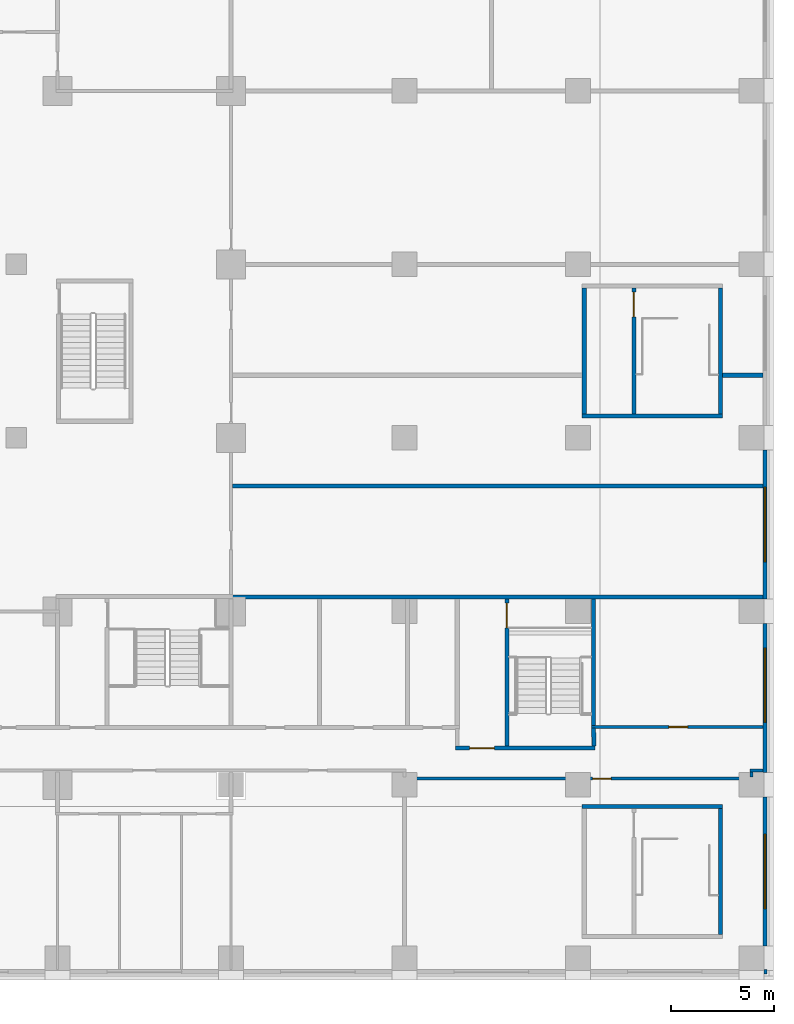
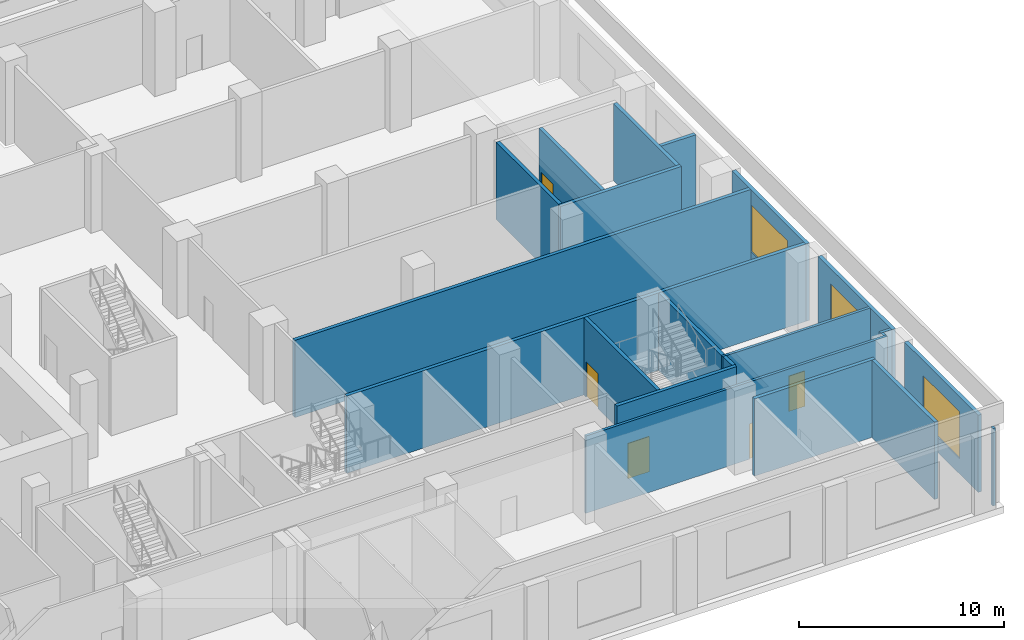
# One storey, part 11 of 23: 21 walls, 5 doors, 3 windows, 8 openings.
"""IFC4 building model written with IfcOpenShell, lengths in metres."""

from ifc_helpers import new_model, si_unit, direction, frame, frame_2d, origin, place, context, subcontext, project, spatial, rectangle, extrude, material, layer, layer_set, type_object, element, fill, save


model = new_model("IFC4")

# Units and contexts
model_context = context("Model", 3, precision=1e-05, world=origin(), true_north=direction((0.0, 1.0)))
body_context = subcontext(model_context, "Body", "Model", "MODEL_VIEW")
ifc_project = project(units=[si_unit("LENGTHUNIT", "METRE"), si_unit("AREAUNIT", "SQUARE_METRE"), si_unit("VOLUMEUNIT", "CUBIC_METRE"), si_unit("PLANEANGLEUNIT", "RADIAN"), si_unit("MASSUNIT", "GRAM", prefix="KILO")], contexts=[model_context])

# Site, building, storey
site_placement = place(None, origin())
site = spatial("IfcSite", under=ifc_project, at=site_placement, CompositionType="ELEMENT")
building_placement = place(site_placement, origin())
building = spatial("IfcBuilding", under=site, at=building_placement, Name="Vermilion Ogive Tower", CompositionType="ELEMENT")
storey_placement = place(building_placement, frame((0.0, 0.0, 20.0)))
storey = spatial("IfcBuildingStorey", under=building, at=storey_placement, Name="L03", CompositionType="ELEMENT", Elevation=20.0)

# Wall, opening, door
ifc_material_1 = material(Name="Gypsum board partition on steel studs", Category="steel")
ifc_layer_1 = layer(ifc_material_1, 0.14990234375)
ifc_layer_set_1 = layer_set([ifc_layer_1], Name="Partition 150 corridor")
wall_type_1 = type_object("IfcWallType", Name="Partition 150 corridor", PredefinedType="PARTITIONING", material=ifc_layer_set_1)
wall_1_placement = place(storey_placement, frame((33.5, -20.699951171875, 0.0), z_axis=(0.0, 0.0, 1.0), x_axis=(1.0, 0.0, 0.0)))
wall_1 = element("IfcWall", 1, at=wall_1_placement, inside=storey, type_object=wall_type_1, Name="L03-FS-W-W005", PredefinedType="PARTITIONING", context=body_context, shape_type="SweptSolid", body=[
    extrude(rectangle(XDim=16.97509765625, YDim=0.14990234375, at=frame_2d((8.487548828125, 0.0))), origin(), (0.0, 0.0, 1.0), 4.60009765625),
])
opening_1_placement = place(wall_1_placement, frame((9.199951171875, 0.0, 0.0)))
opening_1 = element("IfcOpeningElement", 2, at=opening_1_placement, cuts=wall_1, Name="Opening L03S045", PredefinedType="OPENING", context=body_context, shape_type="SweptSolid", body=[
    extrude(rectangle(XDim=0.89990234375, YDim=2.10009765625, at=frame_2d((0.449951171875, 1.050048828125))), frame((0.0, 0.0849609375, 0.0), z_axis=(0.0, -1.0, 0.0), x_axis=(1.0, 0.0, 0.0)), (0.0, 0.0, 1.0), 0.169921875),
])
ifc_material_2 = material(Name="Timber door leaf", Category="wood")
door_type_1 = type_object("IfcDoorType", Name="Room door 900 x 2100 FD30", OperationType="SINGLE_SWING_LEFT", PredefinedType="DOOR", material=ifc_material_2)
door_1_placement = place(opening_1_placement, origin())
door_1 = element("IfcDoor", 3, at=door_1_placement, inside=storey, type_object=door_type_1, Name="L03-FS-D-D045", OperationType="SINGLE_SWING_RIGHT", OverallHeight=2.10009765625, OverallWidth=0.89990234375, PredefinedType="DOOR", context=body_context, shape_type="SweptSolid", body=[
    extrude(rectangle(XDim=0.89990234375, YDim=2.10009765625, at=frame_2d((0.449951171875, 1.050048828125))), frame((0.0, 0.02490234375, 0.0), z_axis=(0.0, -1.0, 0.0), x_axis=(1.0, 0.0, 0.0)), (0.0, 0.0, 1.0), 0.050048828125),
])
fill(opening_1, door_1)

# Wall
wall_2_placement = place(storey_placement, frame((50.324951171875, -20.300048828125, 0.0), z_axis=(0.0, 0.0, 1.0), x_axis=(1.0, 0.0, 0.0)))
element("IfcWall", 4, at=wall_2_placement, inside=storey, type_object=wall_type_1, Name="L03-FS-W-W007", PredefinedType="PARTITIONING", context=body_context, shape_type="SweptSolid", body=[
    extrude(rectangle(XDim=0.625, YDim=0.14990234375, at=frame_2d((0.3125, 0.0))), origin(), (0.0, 0.0, 1.0), 4.60009765625),
])

# Wall, opening, door
wall_3_placement = place(storey_placement, frame((42.64990234375, -18.199951171875, 0.0), z_axis=(0.0, 0.0, 1.0), x_axis=(1.0, 0.0, 0.0)))
wall_3 = element("IfcWall", 5, at=wall_3_placement, inside=storey, type_object=wall_type_1, Name="L03-FS-W-W015", PredefinedType="PARTITIONING", context=body_context, shape_type="SweptSolid", body=[
    extrude(rectangle(XDim=8.300048828125, YDim=0.14990234375, at=frame_2d((4.14990234375, 0.0))), origin(), (0.0, 0.0, 1.0), 4.60009765625),
])
opening_2_placement = place(wall_3_placement, frame((3.75, 0.0, 0.0)))
opening_2 = element("IfcOpeningElement", 6, at=opening_2_placement, cuts=wall_3, Name="Opening L03S039", PredefinedType="OPENING", context=body_context, shape_type="SweptSolid", body=[
    extrude(rectangle(XDim=0.89990234375, YDim=2.10009765625, at=frame_2d((0.449951171875, 1.050048828125))), frame((0.0, 0.0849609375, 0.0), z_axis=(0.0, -1.0, 0.0), x_axis=(1.0, 0.0, 0.0)), (0.0, 0.0, 1.0), 0.169921875),
])
door_2_placement = place(opening_2_placement, origin())
door_2 = element("IfcDoor", 7, at=door_2_placement, inside=storey, type_object=door_type_1, Name="L03-FS-D-D039", OperationType="SINGLE_SWING_LEFT", OverallHeight=2.10009765625, OverallWidth=0.89990234375, PredefinedType="DOOR", context=body_context, shape_type="SweptSolid", body=[
    extrude(rectangle(XDim=0.89990234375, YDim=2.10009765625, at=frame_2d((0.449951171875, 1.050048828125))), frame((0.0, 0.02490234375, 0.0), z_axis=(0.0, -1.0, 0.0), x_axis=(1.0, 0.0, 0.0)), (0.0, 0.0, 1.0), 0.050048828125),
])
fill(opening_2, door_2)

# Walls
wall_4_placement = place(storey_placement, frame((50.39990234375, -20.625, 0.0), z_axis=(0.0, 0.0, 1.0), x_axis=(0.0, 1.0, 0.0)))
element("IfcWall", 8, at=wall_4_placement, inside=storey, type_object=wall_type_1, Name="L03-FS-W-W107", PredefinedType="PARTITIONING", context=body_context, shape_type="SweptSolid", body=[
    extrude(rectangle(XDim=0.25, YDim=0.14990234375, at=frame_2d((0.125, 0.0))), origin(), (0.0, 0.0, 1.0), 4.60009765625),
])
ifc_material_3 = material(Name="Gypsum board partition on steel studs", Category="steel")
ifc_layer_2 = layer(ifc_material_3, 0.199951171875)
ifc_layer_set_2 = layer_set([ifc_layer_2], Name="Partition 200 party")
wall_type_2 = type_object("IfcWallType", Name="Partition 200 party", PredefinedType="PARTITIONING", material=ifc_layer_set_2)
wall_5_placement = place(storey_placement, frame((42.199951171875, -22.050048828125, 0.0), z_axis=(0.0, 0.0, 1.0), x_axis=(1.0, 0.0, 0.0)))
element("IfcWall", 9, at=wall_5_placement, inside=storey, type_object=wall_type_2, Name="L03-FS-W-W004", PredefinedType="PARTITIONING", context=body_context, shape_type="SweptSolid", body=[
    extrude(rectangle(XDim=6.800048828125, YDim=0.199951171875, at=frame_2d((3.39990234375, 0.0))), origin(), (0.0, 0.0, 1.0), 4.60009765625),
])
wall_6_placement = place(storey_placement, frame((25.27490234375, -6.532958984375, 0.0), z_axis=(0.0, 0.0, 1.0), x_axis=(1.0, 0.0, 0.0)))
element("IfcWall", 10, at=wall_6_placement, inside=storey, type_object=wall_type_2, Name="L03-FS-W-W022", PredefinedType="PARTITIONING", context=body_context, shape_type="SweptSolid", body=[
    extrude(rectangle(XDim=25.675048828125, YDim=0.199951171875, at=frame_2d((12.83740234375, 0.0))), origin(), (0.0, 0.0, 1.0), 4.60009765625),
])
wall_7_placement = place(storey_placement, frame((42.199951171875, -3.14990234375, 0.0), z_axis=(0.0, 0.0, 1.0), x_axis=(1.0, 0.0, 0.0)))
element("IfcWall", 11, at=wall_7_placement, inside=storey, type_object=wall_type_2, Name="L03-FS-W-W023", PredefinedType="PARTITIONING", context=body_context, shape_type="SweptSolid", body=[
    extrude(rectangle(XDim=6.800048828125, YDim=0.199951171875, at=frame_2d((3.39990234375, 0.0))), origin(), (0.0, 0.0, 1.0), 4.60009765625),
])
wall_8_placement = place(storey_placement, frame((49.0, -1.1669921875, 0.0), z_axis=(0.0, 0.0, 1.0), x_axis=(1.0, 0.0, 0.0)))
element("IfcWall", 12, at=wall_8_placement, inside=storey, type_object=wall_type_2, Name="L03-FS-W-W025", PredefinedType="PARTITIONING", context=body_context, shape_type="SweptSolid", body=[
    extrude(rectangle(XDim=1.949951171875, YDim=0.199951171875, at=frame_2d((0.97509765625, 0.0))), origin(), (0.0, 0.0, 1.0), 4.60009765625),
])
wall_9_placement = place(storey_placement, frame((42.300048828125, -3.050048828125, 0.0), z_axis=(0.0, 0.0, 1.0), x_axis=(0.0, 1.0, 0.0)))
element("IfcWall", 13, at=wall_9_placement, inside=storey, type_object=wall_type_2, Name="L03-FS-W-W094", PredefinedType="PARTITIONING", context=body_context, shape_type="SweptSolid", body=[
    extrude(rectangle(XDim=6.10009765625, YDim=0.199951171875, at=frame_2d((3.050048828125, 0.0))), origin(), (0.0, 0.0, 1.0), 4.60009765625),
])

# Wall, opening, door
wall_10_placement = place(storey_placement, frame((44.699951171875, -3.050048828125, 0.0), z_axis=(0.0, 0.0, 1.0), x_axis=(0.0, 1.0, 0.0)))
wall_10 = element("IfcWall", 14, at=wall_10_placement, inside=storey, type_object=wall_type_2, Name="L03-FS-W-W101", PredefinedType="PARTITIONING", context=body_context, shape_type="SweptSolid", body=[
    extrude(rectangle(XDim=6.10009765625, YDim=0.199951171875, at=frame_2d((3.050048828125, 0.0))), origin(), (0.0, 0.0, 1.0), 4.60009765625),
])
opening_3_placement = place(wall_10_placement, frame((4.7001953125, 0.0, 0.0)))
opening_3 = element("IfcOpeningElement", 15, at=opening_3_placement, cuts=wall_10, Name="Opening L03S008", PredefinedType="OPENING", context=body_context, shape_type="SweptSolid", body=[
    extrude(rectangle(XDim=1.199951171875, YDim=2.10009765625, at=frame_2d((0.60009765625, 1.050048828125))), frame((0.0, 0.10986328125, 0.0), z_axis=(0.0, -1.0, 0.0), x_axis=(1.0, 0.0, 0.0)), (0.0, 0.0, 1.0), 0.219970703125),
])
ifc_material_4 = material(Name="Timber door leaf", Category="wood")
door_type_2 = type_object("IfcDoorType", Name="Stair door 1200 x 2100 FD60S", OperationType="SINGLE_SWING_LEFT", PredefinedType="DOOR", material=ifc_material_4)
door_3_placement = place(opening_3_placement, origin())
door_3 = element("IfcDoor", 16, at=door_3_placement, inside=storey, type_object=door_type_2, Name="L03-FS-D-D008", OperationType="DOUBLE_DOOR_SINGLE_SWING", OverallHeight=2.10009765625, OverallWidth=1.199951171875, PredefinedType="DOOR", context=body_context, shape_type="SweptSolid", body=[
    extrude(rectangle(XDim=1.199951171875, YDim=2.10009765625, at=frame_2d((0.60009765625, 1.050048828125))), frame((0.0, 0.02490234375, 0.0), z_axis=(0.0, -1.0, 0.0), x_axis=(1.0, 0.0, 0.0)), (0.0, 0.0, 1.0), 0.050048828125),
])
fill(opening_3, door_3)

# Walls
for number, where, z_axis, x_axis, name in (
    (17, (48.89990234375, -28.25, 0.0), (0.0, 0.0, 1.0), (0.0, 1.0, 0.0), "L03-FS-W-W103"),
    (18, (48.89990234375, -3.050048828125, 0.0), (0.0, 0.0, 1.0), (0.0, 1.0, 0.0), "L03-FS-W-W104"),
):
    element("IfcWall", number, at=place(storey_placement, frame(where, z_axis=z_axis, x_axis=x_axis)), inside=storey, type_object=wall_type_2, Name=name, PredefinedType="PARTITIONING", context=body_context, shape_type="SweptSolid", body=[
        extrude(rectangle(XDim=6.10009765625, YDim=0.199951171875, at=frame_2d((3.050048828125, 0.0))), origin(), (0.0, 0.0, 1.0), 4.60009765625),
    ])

# Wall, opening, door
ifc_material_5 = material(Name="Concrete B60", Category="concrete")
ifc_layer_3 = layer(ifc_material_5, 0.199951171875)
ifc_layer_set_3 = layer_set([ifc_layer_3], Name="Stair shaft wall 200 Concrete B60")
wall_type_3 = type_object("IfcWallType", Name="Stair shaft wall 200 Concrete B60", PredefinedType="SOLIDWALL", material=ifc_layer_set_3)
wall_11_placement = place(storey_placement, frame((36.074951171875, -19.224853515625, 0.0), z_axis=(0.0, 0.0, 1.0), x_axis=(1.0, 0.0, 0.0)))
wall_11 = element("IfcWall", 19, at=wall_11_placement, inside=storey, type_object=wall_type_3, Name="L03-FS-W-W008", PredefinedType="SOLIDWALL", context=body_context, shape_type="SweptSolid", body=[
    extrude(rectangle(XDim=6.75, YDim=0.199951171875, at=frame_2d((3.375, 0.0))), origin(), (0.0, 0.0, 1.0), 4.60009765625),
])
opening_4_placement = place(wall_11_placement, frame((0.675048828125, 0.0, 0.0)))
opening_4 = element("IfcOpeningElement", 20, at=opening_4_placement, cuts=wall_11, Name="Opening L03S015", PredefinedType="OPENING", context=body_context, shape_type="SweptSolid", body=[
    extrude(rectangle(XDim=1.199951171875, YDim=2.10009765625, at=frame_2d((0.60009765625, 1.050048828125))), frame((0.0, 0.10986328125, 0.0), z_axis=(0.0, -1.0, 0.0), x_axis=(1.0, 0.0, 0.0)), (0.0, 0.0, 1.0), 0.219970703125),
])
door_4_placement = place(opening_4_placement, origin())
door_4 = element("IfcDoor", 21, at=door_4_placement, inside=storey, type_object=door_type_2, Name="L03-FS-D-D015", OperationType="SINGLE_SWING_LEFT", OverallHeight=2.10009765625, OverallWidth=1.199951171875, PredefinedType="DOOR", context=body_context, shape_type="SweptSolid", body=[
    extrude(rectangle(XDim=1.199951171875, YDim=2.10009765625, at=frame_2d((0.60009765625, 1.050048828125))), frame((0.0, 0.02490234375, 0.0), z_axis=(0.0, -1.0, 0.0), x_axis=(1.0, 0.0, 0.0)), (0.0, 0.0, 1.0), 0.050048828125),
])
fill(opening_4, door_4)

wall_12_placement = place(storey_placement, frame((38.550048828125, -19.125, 0.0), z_axis=(0.0, 0.0, 1.0), x_axis=(0.0, 1.0, 0.0)))
wall_12 = element("IfcWall", 22, at=wall_12_placement, inside=storey, type_object=wall_type_3, Name="L03-FS-W-W091", PredefinedType="SOLIDWALL", context=body_context, shape_type="SweptSolid", body=[
    extrude(rectangle(XDim=7.125, YDim=0.199951171875, at=frame_2d((3.5625, 0.0))), origin(), (0.0, 0.0, 1.0), 4.60009765625),
])
opening_5_placement = place(wall_12_placement, frame((5.72509765625, 0.0, 0.0)))
opening_5 = element("IfcOpeningElement", 23, at=opening_5_placement, cuts=wall_12, Name="Opening L03S006", PredefinedType="OPENING", context=body_context, shape_type="SweptSolid", body=[
    extrude(rectangle(XDim=1.199951171875, YDim=2.10009765625, at=frame_2d((0.60009765625, 1.050048828125))), frame((0.0, 0.10986328125, 0.0), z_axis=(0.0, -1.0, 0.0), x_axis=(1.0, 0.0, 0.0)), (0.0, 0.0, 1.0), 0.219970703125),
])
door_5_placement = place(opening_5_placement, origin())
door_5 = element("IfcDoor", 24, at=door_5_placement, inside=storey, type_object=door_type_2, Name="L03-FS-D-D006", OperationType="DOUBLE_DOOR_SINGLE_SWING", OverallHeight=2.10009765625, OverallWidth=1.199951171875, PredefinedType="DOOR", context=body_context, shape_type="SweptSolid", body=[
    extrude(rectangle(XDim=1.199951171875, YDim=2.10009765625, at=frame_2d((0.60009765625, 1.050048828125))), frame((0.0, 0.02490234375, 0.0), z_axis=(0.0, -1.0, 0.0), x_axis=(1.0, 0.0, 0.0)), (0.0, 0.0, 1.0), 0.050048828125),
])
fill(opening_5, door_5)

# Walls
wall_13_placement = place(storey_placement, frame((42.77490234375, -19.125, 0.0), z_axis=(0.0, 0.0, 1.0), x_axis=(-0.028448302746, 0.99959526513, 0.0)))
element("IfcWall", 25, at=wall_13_placement, inside=storey, type_object=wall_type_3, Name="L03-FS-W-W097", PredefinedType="SOLIDWALL", context=body_context, shape_type="SweptSolid", body=[
    extrude(rectangle(XDim=0.875244140625, YDim=0.199951171875, at=frame_2d((0.4375, 0.0))), origin(), (0.0, 0.0, 1.0), 4.60009765625),
])
wall_14_placement = place(storey_placement, frame((42.75, -18.125, 0.0), z_axis=(0.0, 0.0, 1.0), x_axis=(0.0, 1.0, 0.0)))
element("IfcWall", 26, at=wall_14_placement, inside=storey, type_object=wall_type_3, Name="L03-FS-W-W098-A", PredefinedType="SOLIDWALL", context=body_context, shape_type="SweptSolid", body=[
    extrude(rectangle(XDim=6.125, YDim=0.199951171875, at=frame_2d((3.0625, 0.0))), origin(), (0.0, 0.0, 1.0), 4.60009765625),
])
wall_15_placement = place(storey_placement, frame((25.10009765625, -11.89990234375, 0.0), z_axis=(0.0, 0.0, 1.0), x_axis=(1.0, 0.0, 0.0)))
element("IfcWall", 27, at=wall_15_placement, inside=storey, type_object=wall_type_3, Name="L03-FS-W-W021-A", PredefinedType="SOLIDWALL", context=body_context, shape_type="SweptSolid", body=[
    extrude(rectangle(XDim=25.849853515625, YDim=0.199951171875, at=frame_2d((12.9248046875, 0.0))), origin(), (0.0, 0.0, 1.0), 4.60009765625),
])
ifc_material_6 = material(Name="Aluminium window wall framing", Category="aluminium")
ifc_layer_4 = layer(ifc_material_6, 0.199951171875)
ifc_layer_set_4 = layer_set([ifc_layer_4], Name="Window wall")
wall_type_4 = type_object("IfcWallType", Name="Window wall", PredefinedType="STANDARD", material=ifc_layer_set_4)
wall_16_placement = place(storey_placement, frame((51.0, -30.050048828125, 0.0), z_axis=(0.0, 0.0, 1.0), x_axis=(1.0, 0.0, 0.0)))
element("IfcWall", 28, at=wall_16_placement, inside=storey, type_object=wall_type_4, Name="Window wall S10", PredefinedType="STANDARD", context=body_context, shape_type="SweptSolid", body=[
    extrude(rectangle(XDim=0.14990234375, YDim=0.199951171875, at=frame_2d((0.074951171875, 0.0))), origin(), (0.0, 0.0, 1.0), 4.60009765625),
])

# Wall, opening, window
wall_17_placement = place(storey_placement, frame((51.050048828125, -28.800048828125, 0.0), z_axis=(0.0, 0.0, 1.0), x_axis=(0.0, 1.0, 0.0)))
wall_17 = element("IfcWall", 29, at=wall_17_placement, inside=storey, type_object=wall_type_4, Name="Window wall E1", PredefinedType="STANDARD", context=body_context, shape_type="SweptSolid", body=[
    extrude(rectangle(XDim=7.199951171875, YDim=0.199951171875, at=frame_2d((3.60009765625, 0.0))), origin(), (0.0, 0.0, 1.0), 4.60009765625),
])
opening_6_placement = place(wall_17_placement, frame((1.800048828125, 0.0, 0.89990234375)))
opening_6 = element("IfcOpeningElement", 30, at=opening_6_placement, cuts=wall_17, Name="Opening P-E1", PredefinedType="OPENING", context=body_context, shape_type="SweptSolid", body=[
    extrude(rectangle(XDim=3.60009765625, YDim=2.800048828125, at=frame_2d((1.800048828125, 1.39990234375))), frame((0.0, 0.10986328125, 0.0), z_axis=(0.0, -1.0, 0.0), x_axis=(1.0, 0.0, 0.0)), (0.0, 0.0, 1.0), 0.219970703125),
])
ifc_material_7 = material(Name="Aluminium framed double glazing", Category="aluminium")
window_type = type_object("IfcWindowType", Name="Podium window P 3600x2800 sill 900", PartitioningType="SINGLE_PANEL", PredefinedType="WINDOW", material=ifc_material_7)
window_1_placement = place(opening_6_placement, origin())
window_1 = element("IfcWindow", 31, at=window_1_placement, inside=storey, type_object=window_type, Name="Window E1", OverallHeight=2.800048828125, OverallWidth=3.60009765625, PartitioningType="SINGLE_PANEL", PredefinedType="WINDOW", context=body_context, shape_type="SweptSolid", body=[
    extrude(rectangle(XDim=3.60009765625, YDim=2.800048828125, at=frame_2d((1.800048828125, 1.39990234375))), frame((0.0, 0.030029296875, 0.0), z_axis=(0.0, -1.0, 0.0), x_axis=(1.0, 0.0, 0.0)), (0.0, 0.0, 1.0), 0.06005859375),
])
fill(opening_6, window_1)

wall_18_placement = place(storey_placement, frame((51.050048828125, -20.39990234375, 0.0), z_axis=(0.0, 0.0, 1.0), x_axis=(0.0, 1.0, 0.0)))
wall_18 = element("IfcWall", 32, at=wall_18_placement, inside=storey, type_object=wall_type_4, Name="Window wall E2", PredefinedType="STANDARD", context=body_context, shape_type="SweptSolid", body=[
    extrude(rectangle(XDim=7.199951171875, YDim=0.199951171875, at=frame_2d((3.60009765625, 0.0))), origin(), (0.0, 0.0, 1.0), 4.60009765625),
])
opening_7_placement = place(wall_18_placement, frame((2.419921875, 0.0, 0.89990234375)))
opening_7 = element("IfcOpeningElement", 33, at=opening_7_placement, cuts=wall_18, Name="Opening P-E2", PredefinedType="OPENING", context=body_context, shape_type="SweptSolid", body=[
    extrude(rectangle(XDim=3.60009765625, YDim=2.800048828125, at=frame_2d((1.800048828125, 1.39990234375))), frame((0.0, 0.10986328125, 0.0), z_axis=(0.0, -1.0, 0.0), x_axis=(1.0, 0.0, 0.0)), (0.0, 0.0, 1.0), 0.219970703125),
])
window_2_placement = place(opening_7_placement, origin())
window_2 = element("IfcWindow", 34, at=window_2_placement, inside=storey, type_object=window_type, Name="Window E2", OverallHeight=2.800048828125, OverallWidth=3.60009765625, PartitioningType="SINGLE_PANEL", PredefinedType="WINDOW", context=body_context, shape_type="SweptSolid", body=[
    extrude(rectangle(XDim=3.60009765625, YDim=2.800048828125, at=frame_2d((1.800048828125, 1.39990234375))), frame((0.0, 0.030029296875, 0.0), z_axis=(0.0, -1.0, 0.0), x_axis=(1.0, 0.0, 0.0)), (0.0, 0.0, 1.0), 0.06005859375),
])
fill(opening_7, window_2)

wall_19_placement = place(storey_placement, frame((51.050048828125, -12.0, 0.0), z_axis=(0.0, 0.0, 1.0), x_axis=(0.0, 1.0, 0.0)))
wall_19 = element("IfcWall", 35, at=wall_19_placement, inside=storey, type_object=wall_type_4, Name="Window wall E3", PredefinedType="STANDARD", context=body_context, shape_type="SweptSolid", body=[
    extrude(rectangle(XDim=7.199951171875, YDim=0.199951171875, at=frame_2d((3.60009765625, 0.0))), origin(), (0.0, 0.0, 1.0), 4.60009765625),
])
opening_8_placement = place(wall_19_placement, frame((1.800048828125, 0.0, 0.89990234375)))
opening_8 = element("IfcOpeningElement", 36, at=opening_8_placement, cuts=wall_19, Name="Opening P-E3", PredefinedType="OPENING", context=body_context, shape_type="SweptSolid", body=[
    extrude(rectangle(XDim=3.60009765625, YDim=2.800048828125, at=frame_2d((1.800048828125, 1.39990234375))), frame((0.0, 0.10986328125, 0.0), z_axis=(0.0, -1.0, 0.0), x_axis=(1.0, 0.0, 0.0)), (0.0, 0.0, 1.0), 0.219970703125),
])
window_3_placement = place(opening_8_placement, origin())
window_3 = element("IfcWindow", 37, at=window_3_placement, inside=storey, type_object=window_type, Name="Window E3", OverallHeight=2.800048828125, OverallWidth=3.60009765625, PartitioningType="SINGLE_PANEL", PredefinedType="WINDOW", context=body_context, shape_type="SweptSolid", body=[
    extrude(rectangle(XDim=3.60009765625, YDim=2.800048828125, at=frame_2d((1.800048828125, 1.39990234375))), frame((0.0, 0.030029296875, 0.0), z_axis=(0.0, -1.0, 0.0), x_axis=(1.0, 0.0, 0.0)), (0.0, 0.0, 1.0), 0.06005859375),
])
fill(opening_8, window_3)

save(model, "model.ifc")
